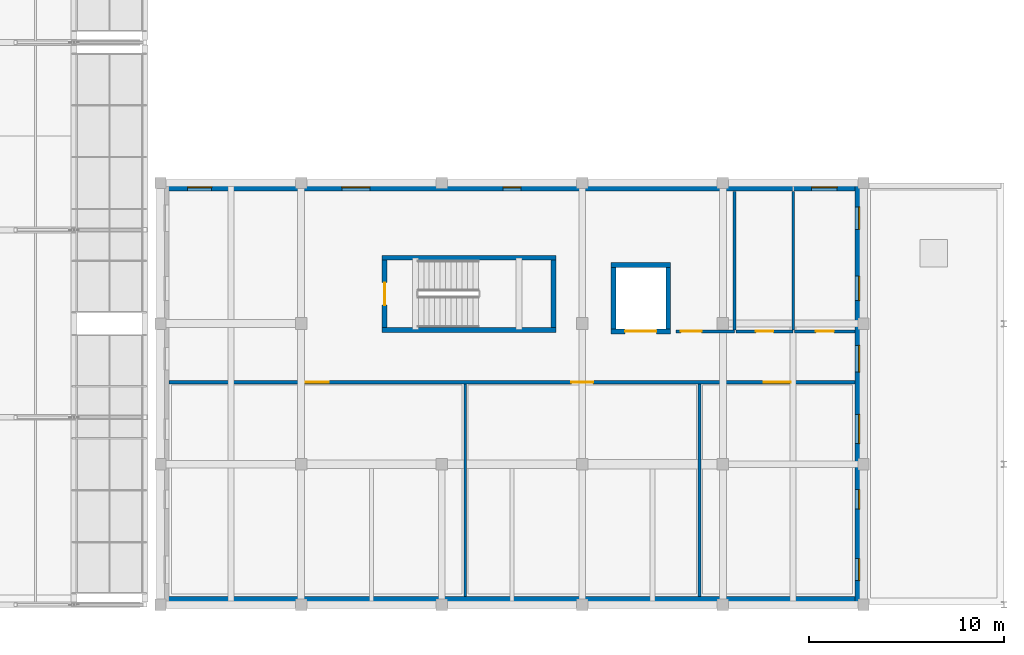
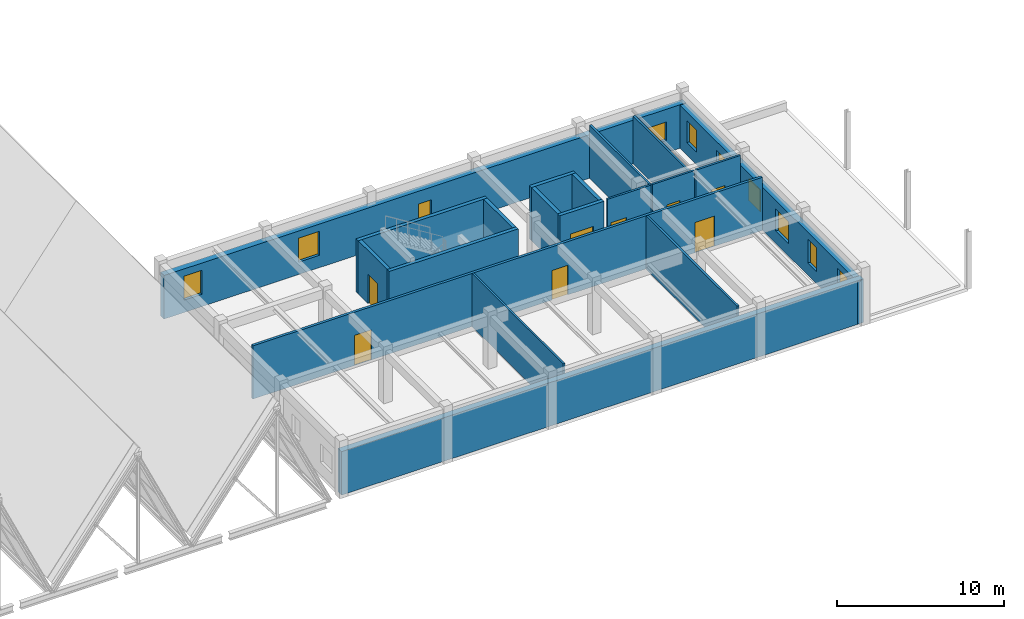
# One storey, part 84 of 99: 19 walls, 10 windows, 8 doors, 18 openings.
"""IFC4 building model written with IfcOpenShell, lengths in metres."""

from ifc_helpers import new_model, si_unit, direction, frame, frame_2d, origin, place, context, subcontext, project, spatial, rectangle, extrude, material, layer, layer_set, type_object, element, fill, save


model = new_model("IFC4")

# Units and contexts
model_context = context("Model", 3, precision=1e-05, world=origin(), true_north=direction((0.0, 1.0)))
body_context = subcontext(model_context, "Body", "Model", "MODEL_VIEW")
ifc_project = project(units=[si_unit("LENGTHUNIT", "METRE"), si_unit("AREAUNIT", "SQUARE_METRE"), si_unit("VOLUMEUNIT", "CUBIC_METRE"), si_unit("PLANEANGLEUNIT", "RADIAN"), si_unit("MASSUNIT", "GRAM", prefix="KILO")], contexts=[model_context])

# Site, building, storey
site_placement = place(None, origin())
site = spatial("IfcSite", under=ifc_project, at=site_placement, CompositionType="ELEMENT")
building_placement = place(site_placement, origin())
building = spatial("IfcBuilding", under=site, at=building_placement, Name="Bramveld Media Centre", CompositionType="ELEMENT")
storey_placement = place(building_placement, frame((0.0, 0.0, 13.800048828125)))
storey = spatial("IfcBuildingStorey", under=building, at=storey_placement, Name="L03", CompositionType="ELEMENT", Elevation=13.800048828125)

# Walls
ifc_material_1 = material(Name="Concrete C40/50 stair & lift core wall", Category="concrete")
ifc_layer_1 = layer(ifc_material_1, 0.25)
ifc_layer_set_1 = layer_set([ifc_layer_1], Name="Concrete C40/50 stair & lift core wall")
wall_type_1 = type_object("IfcWallType", Name="CWALL-SHEAR-250", PredefinedType="SHEAR", material=ifc_layer_set_1)
for number, where, z_axis, x_axis, name in (
    (1, (69.75, 14.074951171875, 0.0), (0.0, 0.0, 1.0), (1.0, 0.0, 0.0), "ST-06 L03 stair core shear wall S"),
    (2, (78.64990234375, 17.77490234375, 0.0), (0.0, 0.0, 1.0), (-1.0, 0.0, 0.0), "ST-06 L03 stair core shear wall N"),
):
    element("IfcWall", number, at=place(storey_placement, frame(where, z_axis=z_axis, x_axis=x_axis)), inside=storey, type_object=wall_type_1, Name=name, PredefinedType="SHEAR", context=body_context, shape_type="SweptSolid", body=[
        extrude(rectangle(XDim=8.89990234375, YDim=0.25, at=frame_2d((4.449951171875, 0.0))), origin(), (0.0, 0.0, 1.0), 3.8798828125),
    ])

# Wall, opening, door
wall_1_placement = place(storey_placement, frame((69.875, 17.64990234375, 0.0), z_axis=(0.0, 0.0, 1.0), x_axis=(0.0, -1.0, 0.0)))
wall_1 = element("IfcWall", 3, at=wall_1_placement, inside=storey, type_object=wall_type_1, Name="ST-06 L03 stair core shear wall W", PredefinedType="SHEAR", context=body_context, shape_type="SweptSolid", body=[
    extrude(rectangle(XDim=3.449951171875, YDim=0.25, at=frame_2d((1.72509765625, 0.0))), origin(), (0.0, 0.0, 1.0), 3.8798828125),
])
opening_1_placement = place(wall_1_placement, frame((1.14990234375, 0.0, 0.0)))
opening_1 = element("IfcOpeningElement", 4, at=opening_1_placement, cuts=wall_1, Name="Opening SD-06-L03", PredefinedType="OPENING", context=body_context, shape_type="SweptSolid", body=[
    extrude(rectangle(XDim=1.14990234375, YDim=2.14990234375, at=frame_2d((0.574951171875, 1.074951171875))), frame((0.0, 0.136962890625, 0.0), z_axis=(0.0, -1.0, 0.0), x_axis=(1.0, 0.0, 0.0)), (0.0, 0.0, 1.0), 0.27392578125),
])
ifc_material_2 = material(Name="Painted galvanized steel acoustic fire door with intumescent smoke seals", Category="steel")
door_type_1 = type_object("IfcDoorType", Name="DR-ST-1150", OperationType="NOTDEFINED", PredefinedType="DOOR", material=ifc_material_2)
door_1_placement = place(opening_1_placement, origin())
door_1 = element("IfcDoor", 5, at=door_1_placement, inside=storey, type_object=door_type_1, Name="ST-06 L03 pressurized stair fire door", OperationType="SINGLE_SWING_LEFT", OverallHeight=2.14990234375, OverallWidth=1.14990234375, PredefinedType="DOOR", context=body_context, shape_type="SweptSolid", body=[
    extrude(rectangle(XDim=1.14990234375, YDim=2.14990234375, at=frame_2d((0.574951171875, 1.074951171875))), frame((0.0, 0.02490234375, 0.0), z_axis=(0.0, -1.0, 0.0), x_axis=(1.0, 0.0, 0.0)), (0.0, 0.0, 1.0), 0.050048828125),
])
fill(opening_1, door_1)

# Wall
wall_2_placement = place(storey_placement, frame((78.52490234375, 14.199951171875, 0.0), z_axis=(0.0, 0.0, 1.0), x_axis=(0.0, 1.0, 0.0)))
element("IfcWall", 6, at=wall_2_placement, inside=storey, type_object=wall_type_1, Name="ST-06 L03 stair core shear wall E", PredefinedType="SHEAR", context=body_context, shape_type="SweptSolid", body=[
    extrude(rectangle(XDim=3.449951171875, YDim=0.25, at=frame_2d((1.72509765625, 0.0))), origin(), (0.0, 0.0, 1.0), 3.8798828125),
])

# Wall, opening, door
wall_3_placement = place(storey_placement, frame((81.47509765625, 14.0, 0.0), z_axis=(0.0, 0.0, 1.0), x_axis=(1.0, 0.0, 0.0)))
wall_3 = element("IfcWall", 7, at=wall_3_placement, inside=storey, type_object=wall_type_1, Name="GL-01 L03 lift shaft wall S", PredefinedType="SHEAR", context=body_context, shape_type="SweptSolid", body=[
    extrude(rectangle(XDim=3.0498046875, YDim=0.25, at=frame_2d((1.52490234375, 0.0))), origin(), (0.0, 0.0, 1.0), 3.8798828125),
])
opening_2_placement = place(wall_3_placement, frame((0.72509765625, 0.0, 0.0)))
opening_2 = element("IfcOpeningElement", 8, at=opening_2_placement, cuts=wall_3, Name="Opening LD-04-01-L03", PredefinedType="OPENING", context=body_context, shape_type="SweptSolid", body=[
    extrude(rectangle(XDim=1.60009765625, YDim=2.300048828125, at=frame_2d((0.800048828125, 1.14990234375))), frame((0.0, 0.136962890625, 0.0), z_axis=(0.0, -1.0, 0.0), x_axis=(1.0, 0.0, 0.0)), (0.0, 0.0, 1.0), 0.27392578125),
])
ifc_material_3 = material(Name="Brushed stainless steel automatic fire-rated sliding lift landing door", Category="steel")
door_type_2 = type_object("IfcDoorType", Name="LD-TYPE-04", OperationType="DOUBLE_DOOR_SLIDING", PredefinedType="DOOR", material=ifc_material_3)
door_2_placement = place(opening_2_placement, origin())
door_2 = element("IfcDoor", 9, at=door_2_placement, inside=storey, type_object=door_type_2, Name="GL-01 L03 sliding lift landing door", OperationType="DOUBLE_DOOR_SLIDING", OverallHeight=2.300048828125, OverallWidth=1.60009765625, PredefinedType="DOOR", context=body_context, shape_type="SweptSolid", body=[
    extrude(rectangle(XDim=1.60009765625, YDim=2.300048828125, at=frame_2d((0.800048828125, 1.14990234375))), frame((0.0, 0.02490234375, 0.0), z_axis=(0.0, -1.0, 0.0), x_axis=(1.0, 0.0, 0.0)), (0.0, 0.0, 1.0), 0.050048828125),
])
fill(opening_2, door_2)

# Walls
wall_4_placement = place(storey_placement, frame((84.52490234375, 17.39990234375, 0.0), z_axis=(0.0, 0.0, 1.0), x_axis=(-1.0, 0.0, 0.0)))
element("IfcWall", 10, at=wall_4_placement, inside=storey, type_object=wall_type_1, Name="GL-01 L03 lift shaft wall N", PredefinedType="SHEAR", context=body_context, shape_type="SweptSolid", body=[
    extrude(rectangle(XDim=3.0498046875, YDim=0.25, at=frame_2d((1.52490234375, 0.0))), origin(), (0.0, 0.0, 1.0), 3.8798828125),
])
for number, where, z_axis, x_axis, name in (
    (11, (81.60009765625, 17.39990234375, 0.0), (0.0, 0.0, 1.0), (0.0, -1.0, 0.0), "GL-01 L03 lift shaft wall W"),
    (12, (84.39990234375, 14.0, 0.0), (0.0, 0.0, 1.0), (0.0, 1.0, 0.0), "GL-01 L03 lift shaft wall E"),
):
    element("IfcWall", number, at=place(storey_placement, frame(where, z_axis=z_axis, x_axis=x_axis)), inside=storey, type_object=wall_type_1, Name=name, PredefinedType="SHEAR", context=body_context, shape_type="SweptSolid", body=[
        extrude(rectangle(XDim=3.39990234375, YDim=0.25, at=frame_2d((1.699951171875, 0.0))), origin(), (0.0, 0.0, 1.0), 3.8798828125),
    ])
ifc_material_4 = material(Name="Flemish red-brown clay facing brick cavity wall with concrete C35/45 inner leaf", Category="masonry")
ifc_layer_2 = layer(ifc_material_4, 0.419921875)
ifc_layer_set_2 = layer_set([ifc_layer_2], Name="Flemish red-brown clay facing brick cavity wall with concrete C35/45 inner leaf")
wall_type_2 = type_object("IfcWallType", Name="EW-BRK-420", PredefinedType="SOLIDWALL", material=ifc_layer_set_2)
wall_5_placement = place(storey_placement, frame((94.39990234375, 0.2099609375, 0.0), z_axis=(0.0, 0.0, 1.0), x_axis=(-1.0, 0.0, 0.0)))
element("IfcWall", 13, at=wall_5_placement, inside=storey, type_object=wall_type_2, Name="V5 L03 S facing brick exterior wall", PredefinedType="SOLIDWALL", context=body_context, shape_type="SweptSolid", body=[
    extrude(rectangle(XDim=36.0, YDim=0.419921875, at=frame_2d((18.0, 0.0))), origin(), (0.0, 0.0, 1.0), 3.175048828125),
])

# Wall, openings, windows
wall_6_placement = place(storey_placement, frame((94.18994140625, 21.60009765625, 0.0), z_axis=(0.0, 0.0, 1.0), x_axis=(0.0, -1.0, 0.0)))
wall_6 = element("IfcWall", 14, at=wall_6_placement, inside=storey, type_object=wall_type_2, Name="V5 L03 E facing brick exterior wall", PredefinedType="SOLIDWALL", context=body_context, shape_type="SweptSolid", body=[
    extrude(rectangle(XDim=21.60009765625, YDim=0.419921875, at=frame_2d((10.800048828125, 0.0))), origin(), (0.0, 0.0, 1.0), 3.135009765625),
])
opening_3_placement = place(wall_6_placement, frame((1.22509765625, 0.0, 0.89990234375)))
opening_3 = element("IfcOpeningElement", 15, at=opening_3_placement, cuts=wall_6, Name="Opening W-15", PredefinedType="OPENING", context=body_context, shape_type="SweptSolid", body=[
    extrude(rectangle(XDim=1.14990234375, YDim=1.60009765625, at=frame_2d((0.574951171875, 0.800048828125))), frame((0.0, 0.221923828125, 0.0), z_axis=(0.0, -1.0, 0.0), x_axis=(1.0, 0.0, 0.0)), (0.0, 0.0, 1.0), 0.44384765625),
])
opening_4_placement = place(wall_6_placement, frame((4.77490234375, 0.0, 0.89990234375)))
opening_4 = element("IfcOpeningElement", 16, at=opening_4_placement, cuts=wall_6, Name="Opening W-16", PredefinedType="OPENING", context=body_context, shape_type="SweptSolid", body=[
    extrude(rectangle(XDim=1.25, YDim=1.60009765625, at=frame_2d((0.625, 0.800048828125))), frame((0.0, 0.221923828125, 0.0), z_axis=(0.0, -1.0, 0.0), x_axis=(1.0, 0.0, 0.0)), (0.0, 0.0, 1.0), 0.44384765625),
])
opening_5_placement = place(wall_6_placement, frame((8.31005859375, 0.0, 0.89990234375)))
opening_5 = element("IfcOpeningElement", 17, at=opening_5_placement, cuts=wall_6, Name="Opening W-17", PredefinedType="OPENING", context=body_context, shape_type="SweptSolid", body=[
    extrude(rectangle(XDim=1.3798828125, YDim=1.60009765625, at=frame_2d((0.68994140625, 0.800048828125))), frame((0.0, 0.221923828125, 0.0), z_axis=(0.0, -1.0, 0.0), x_axis=(1.0, 0.0, 0.0)), (0.0, 0.0, 1.0), 0.44384765625),
])
opening_6_placement = place(wall_6_placement, frame((11.85009765625, 0.0, 0.89990234375)))
opening_6 = element("IfcOpeningElement", 18, at=opening_6_placement, cuts=wall_6, Name="Opening W-18", PredefinedType="OPENING", context=body_context, shape_type="SweptSolid", body=[
    extrude(rectangle(XDim=1.5, YDim=1.60009765625, at=frame_2d((0.75, 0.800048828125))), frame((0.0, 0.221923828125, 0.0), z_axis=(0.0, -1.0, 0.0), x_axis=(1.0, 0.0, 0.0)), (0.0, 0.0, 1.0), 0.44384765625),
])
opening_7_placement = place(wall_6_placement, frame((15.699951171875, 0.0, 0.89990234375)))
opening_7 = element("IfcOpeningElement", 19, at=opening_7_placement, cuts=wall_6, Name="Opening W-19", PredefinedType="OPENING", context=body_context, shape_type="SweptSolid", body=[
    extrude(rectangle(XDim=1.0, YDim=1.75, at=frame_2d((0.5, 0.875))), frame((0.0, 0.221923828125, 0.0), z_axis=(0.0, -1.0, 0.0), x_axis=(1.0, 0.0, 0.0)), (0.0, 0.0, 1.0), 0.44384765625),
])
opening_8_placement = place(wall_6_placement, frame((19.239990234375, 0.0, 0.89990234375)))
opening_8 = element("IfcOpeningElement", 20, at=opening_8_placement, cuts=wall_6, Name="Opening W-20", PredefinedType="OPENING", context=body_context, shape_type="SweptSolid", body=[
    extrude(rectangle(XDim=1.1201171875, YDim=1.75, at=frame_2d((0.56005859375, 0.875))), frame((0.0, 0.221923828125, 0.0), z_axis=(0.0, -1.0, 0.0), x_axis=(1.0, 0.0, 0.0)), (0.0, 0.0, 1.0), 0.44384765625),
])
ifc_material_5 = material(Name="Thermally broken anodized bronze aluminium frame with triple acoustic glazing", Category="aluminium")
window_type_1 = type_object("IfcWindowType", Name="WIN-FAC-15", PartitioningType="SINGLE_PANEL", PredefinedType="WINDOW", material=ifc_material_5)
window_1_placement = place(opening_3_placement, origin())
window_1 = element("IfcWindow", 21, at=window_1_placement, inside=storey, type_object=window_type_1, Name="V5 L03 E acoustic facade window", OverallHeight=1.60009765625, OverallWidth=1.14990234375, PartitioningType="SINGLE_PANEL", PredefinedType="WINDOW", context=body_context, shape_type="SweptSolid", body=[
    extrude(rectangle(XDim=1.14990234375, YDim=1.60009765625, at=frame_2d((0.574951171875, 0.800048828125))), frame((0.0, 0.030029296875, 0.0), z_axis=(0.0, -1.0, 0.0), x_axis=(1.0, 0.0, 0.0)), (0.0, 0.0, 1.0), 0.06005859375),
])
fill(opening_3, window_1)
ifc_material_6 = material(Name="Thermally broken anodized bronze aluminium frame with triple acoustic glazing", Category="aluminium")
window_type_2 = type_object("IfcWindowType", Name="WIN-FAC-16", PartitioningType="SINGLE_PANEL", PredefinedType="WINDOW", material=ifc_material_6)
window_2_placement = place(opening_4_placement, origin())
window_2 = element("IfcWindow", 22, at=window_2_placement, inside=storey, type_object=window_type_2, Name="V5 L03 E acoustic facade window", OverallHeight=1.60009765625, OverallWidth=1.25, PartitioningType="SINGLE_PANEL", PredefinedType="WINDOW", context=body_context, shape_type="SweptSolid", body=[
    extrude(rectangle(XDim=1.25, YDim=1.60009765625, at=frame_2d((0.625, 0.800048828125))), frame((0.0, 0.030029296875, 0.0), z_axis=(0.0, -1.0, 0.0), x_axis=(1.0, 0.0, 0.0)), (0.0, 0.0, 1.0), 0.06005859375),
])
fill(opening_4, window_2)
ifc_material_7 = material(Name="Thermally broken anodized bronze aluminium frame with triple acoustic glazing", Category="aluminium")
window_type_3 = type_object("IfcWindowType", Name="WIN-FAC-17", PartitioningType="SINGLE_PANEL", PredefinedType="WINDOW", material=ifc_material_7)
window_3_placement = place(opening_5_placement, origin())
window_3 = element("IfcWindow", 23, at=window_3_placement, inside=storey, type_object=window_type_3, Name="V5 L03 E acoustic facade window", OverallHeight=1.60009765625, OverallWidth=1.3798828125, PartitioningType="SINGLE_PANEL", PredefinedType="WINDOW", context=body_context, shape_type="SweptSolid", body=[
    extrude(rectangle(XDim=1.3798828125, YDim=1.60009765625, at=frame_2d((0.68994140625, 0.800048828125))), frame((0.0, 0.030029296875, 0.0), z_axis=(0.0, -1.0, 0.0), x_axis=(1.0, 0.0, 0.0)), (0.0, 0.0, 1.0), 0.06005859375),
])
fill(opening_5, window_3)
ifc_material_8 = material(Name="Thermally broken anodized bronze aluminium frame with triple acoustic glazing", Category="aluminium")
window_type_4 = type_object("IfcWindowType", Name="WIN-FAC-18", PartitioningType="SINGLE_PANEL", PredefinedType="WINDOW", material=ifc_material_8)
window_4_placement = place(opening_6_placement, origin())
window_4 = element("IfcWindow", 24, at=window_4_placement, inside=storey, type_object=window_type_4, Name="V5 L03 E acoustic facade window", OverallHeight=1.60009765625, OverallWidth=1.5, PartitioningType="SINGLE_PANEL", PredefinedType="WINDOW", context=body_context, shape_type="SweptSolid", body=[
    extrude(rectangle(XDim=1.5, YDim=1.60009765625, at=frame_2d((0.75, 0.800048828125))), frame((0.0, 0.030029296875, 0.0), z_axis=(0.0, -1.0, 0.0), x_axis=(1.0, 0.0, 0.0)), (0.0, 0.0, 1.0), 0.06005859375),
])
fill(opening_6, window_4)
ifc_material_9 = material(Name="Thermally broken anodized bronze aluminium frame with triple acoustic glazing", Category="aluminium")
window_type_5 = type_object("IfcWindowType", Name="WIN-FAC-19", PartitioningType="SINGLE_PANEL", PredefinedType="WINDOW", material=ifc_material_9)
window_5_placement = place(opening_7_placement, origin())
window_5 = element("IfcWindow", 25, at=window_5_placement, inside=storey, type_object=window_type_5, Name="V5 L03 E acoustic facade window", OverallHeight=1.75, OverallWidth=1.0, PartitioningType="SINGLE_PANEL", PredefinedType="WINDOW", context=body_context, shape_type="SweptSolid", body=[
    extrude(rectangle(XDim=1.0, YDim=1.75, at=frame_2d((0.5, 0.875))), frame((0.0, 0.030029296875, 0.0), z_axis=(0.0, -1.0, 0.0), x_axis=(1.0, 0.0, 0.0)), (0.0, 0.0, 1.0), 0.06005859375),
])
fill(opening_7, window_5)
ifc_material_10 = material(Name="Thermally broken anodized bronze aluminium frame with triple acoustic glazing", Category="aluminium")
window_type_6 = type_object("IfcWindowType", Name="WIN-FAC-20", PartitioningType="SINGLE_PANEL", PredefinedType="WINDOW", material=ifc_material_10)
window_6_placement = place(opening_8_placement, origin())
window_6 = element("IfcWindow", 26, at=window_6_placement, inside=storey, type_object=window_type_6, Name="V5 L03 E acoustic facade window", OverallHeight=1.75, OverallWidth=1.1201171875, PartitioningType="SINGLE_PANEL", PredefinedType="WINDOW", context=body_context, shape_type="SweptSolid", body=[
    extrude(rectangle(XDim=1.1201171875, YDim=1.75, at=frame_2d((0.56005859375, 0.875))), frame((0.0, 0.030029296875, 0.0), z_axis=(0.0, -1.0, 0.0), x_axis=(1.0, 0.0, 0.0)), (0.0, 0.0, 1.0), 0.06005859375),
])
fill(opening_8, window_6)

wall_7_placement = place(storey_placement, frame((58.39990234375, 21.389892578125, 0.0), z_axis=(0.0, 0.0, 1.0), x_axis=(1.0, 0.0, 0.0)))
wall_7 = element("IfcWall", 27, at=wall_7_placement, inside=storey, type_object=wall_type_2, Name="V5 L03 N facing brick exterior wall", PredefinedType="SOLIDWALL", context=body_context, shape_type="SweptSolid", body=[
    extrude(rectangle(XDim=36.0, YDim=0.419921875, at=frame_2d((18.0, 0.0))), origin(), (0.0, 0.0, 1.0), 3.175048828125),
])
opening_9_placement = place(wall_7_placement, frame((1.3798828125, 0.0, 0.89990234375)))
opening_9 = element("IfcOpeningElement", 28, at=opening_9_placement, cuts=wall_7, Name="Opening W-21", PredefinedType="OPENING", context=body_context, shape_type="SweptSolid", body=[
    extrude(rectangle(XDim=1.239990234375, YDim=1.75, at=frame_2d((0.6201171875, 0.875))), frame((0.0, 0.221923828125, 0.0), z_axis=(0.0, -1.0, 0.0), x_axis=(1.0, 0.0, 0.0)), (0.0, 0.0, 1.0), 0.44384765625),
])
opening_10_placement = place(wall_7_placement, frame((9.280029296875, 0.0, 0.89990234375)))
opening_10 = element("IfcOpeningElement", 29, at=opening_10_placement, cuts=wall_7, Name="Opening W-23", PredefinedType="OPENING", context=body_context, shape_type="SweptSolid", body=[
    extrude(rectangle(XDim=1.43994140625, YDim=1.75, at=frame_2d((0.719970703125, 0.875))), frame((0.0, 0.221923828125, 0.0), z_axis=(0.0, -1.0, 0.0), x_axis=(1.0, 0.0, 0.0)), (0.0, 0.0, 1.0), 0.44384765625),
])
opening_11_placement = place(wall_7_placement, frame((17.550048828125, 0.0, 0.89990234375)))
opening_11 = element("IfcOpeningElement", 30, at=opening_11_placement, cuts=wall_7, Name="Opening W-01", PredefinedType="OPENING", context=body_context, shape_type="SweptSolid", body=[
    extrude(rectangle(XDim=0.89990234375, YDim=1.35009765625, at=frame_2d((0.449951171875, 0.675048828125))), frame((0.0, 0.221923828125, 0.0), z_axis=(0.0, -1.0, 0.0), x_axis=(1.0, 0.0, 0.0)), (0.0, 0.0, 1.0), 0.44384765625),
])
opening_12_placement = place(wall_7_placement, frame((33.35009765625, 0.0, 0.89990234375)))
opening_12 = element("IfcOpeningElement", 31, at=opening_12_placement, cuts=wall_7, Name="Opening W-05", PredefinedType="OPENING", context=body_context, shape_type="SweptSolid", body=[
    extrude(rectangle(XDim=1.300048828125, YDim=1.35009765625, at=frame_2d((0.64990234375, 0.675048828125))), frame((0.0, 0.221923828125, 0.0), z_axis=(0.0, -1.0, 0.0), x_axis=(1.0, 0.0, 0.0)), (0.0, 0.0, 1.0), 0.44384765625),
])
ifc_material_11 = material(Name="Thermally broken anodized bronze aluminium frame with triple acoustic glazing", Category="aluminium")
window_type_7 = type_object("IfcWindowType", Name="WIN-FAC-01", PartitioningType="SINGLE_PANEL", PredefinedType="WINDOW", material=ifc_material_11)
window_7_placement = place(opening_11_placement, origin())
window_7 = element("IfcWindow", 32, at=window_7_placement, inside=storey, type_object=window_type_7, Name="V5 L03 N acoustic facade window", OverallHeight=1.35009765625, OverallWidth=0.89990234375, PartitioningType="SINGLE_PANEL", PredefinedType="WINDOW", context=body_context, shape_type="SweptSolid", body=[
    extrude(rectangle(XDim=0.89990234375, YDim=1.35009765625, at=frame_2d((0.449951171875, 0.675048828125))), frame((0.0, 0.030029296875, 0.0), z_axis=(0.0, -1.0, 0.0), x_axis=(1.0, 0.0, 0.0)), (0.0, 0.0, 1.0), 0.06005859375),
])
fill(opening_11, window_7)
ifc_material_12 = material(Name="Thermally broken anodized bronze aluminium frame with triple acoustic glazing", Category="aluminium")
window_type_8 = type_object("IfcWindowType", Name="WIN-FAC-05", PartitioningType="SINGLE_PANEL", PredefinedType="WINDOW", material=ifc_material_12)
window_8_placement = place(opening_12_placement, origin())
window_8 = element("IfcWindow", 33, at=window_8_placement, inside=storey, type_object=window_type_8, Name="V5 L03 N acoustic facade window", OverallHeight=1.35009765625, OverallWidth=1.300048828125, PartitioningType="SINGLE_PANEL", PredefinedType="WINDOW", context=body_context, shape_type="SweptSolid", body=[
    extrude(rectangle(XDim=1.300048828125, YDim=1.35009765625, at=frame_2d((0.64990234375, 0.675048828125))), frame((0.0, 0.030029296875, 0.0), z_axis=(0.0, -1.0, 0.0), x_axis=(1.0, 0.0, 0.0)), (0.0, 0.0, 1.0), 0.06005859375),
])
fill(opening_12, window_8)
ifc_material_13 = material(Name="Thermally broken anodized bronze aluminium frame with triple acoustic glazing", Category="aluminium")
window_type_9 = type_object("IfcWindowType", Name="WIN-FAC-21", PartitioningType="SINGLE_PANEL", PredefinedType="WINDOW", material=ifc_material_13)
window_9_placement = place(opening_9_placement, origin())
window_9 = element("IfcWindow", 34, at=window_9_placement, inside=storey, type_object=window_type_9, Name="V5 L03 N acoustic facade window", OverallHeight=1.75, OverallWidth=1.239990234375, PartitioningType="SINGLE_PANEL", PredefinedType="WINDOW", context=body_context, shape_type="SweptSolid", body=[
    extrude(rectangle(XDim=1.239990234375, YDim=1.75, at=frame_2d((0.6201171875, 0.875))), frame((0.0, 0.030029296875, 0.0), z_axis=(0.0, -1.0, 0.0), x_axis=(1.0, 0.0, 0.0)), (0.0, 0.0, 1.0), 0.06005859375),
])
fill(opening_9, window_9)
ifc_material_14 = material(Name="Thermally broken anodized bronze aluminium frame with triple acoustic glazing", Category="aluminium")
window_type_10 = type_object("IfcWindowType", Name="WIN-FAC-23", PartitioningType="SINGLE_PANEL", PredefinedType="WINDOW", material=ifc_material_14)
window_10_placement = place(opening_10_placement, origin())
window_10 = element("IfcWindow", 35, at=window_10_placement, inside=storey, type_object=window_type_10, Name="V5 L03 N acoustic facade window", OverallHeight=1.75, OverallWidth=1.43994140625, PartitioningType="SINGLE_PANEL", PredefinedType="WINDOW", context=body_context, shape_type="SweptSolid", body=[
    extrude(rectangle(XDim=1.43994140625, YDim=1.75, at=frame_2d((0.719970703125, 0.875))), frame((0.0, 0.030029296875, 0.0), z_axis=(0.0, -1.0, 0.0), x_axis=(1.0, 0.0, 0.0)), (0.0, 0.0, 1.0), 0.06005859375),
])
fill(opening_10, window_10)

# Wall, openings, doors
ifc_material_15 = material(Name="Fire-rated twin-frame gypsum corridor wall", Category="gypsum")
ifc_layer_3 = layer(ifc_material_15, 0.179931640625)
ifc_layer_set_3 = layer_set([ifc_layer_3], Name="Fire-rated twin-frame gypsum corridor wall")
wall_type_3 = type_object("IfcWallType", Name="IW-FIRE-180", PredefinedType="PARTITIONING", material=ifc_layer_set_3)
wall_8_placement = place(storey_placement, frame((58.830078125, 11.39990234375, 0.0), z_axis=(0.0, 0.0, 1.0), x_axis=(1.0, 0.0, 0.0)))
wall_8 = element("IfcWall", 36, at=wall_8_placement, inside=storey, type_object=wall_type_3, Name="Film Conservation Lab Corridor partition wall", PredefinedType="PARTITIONING", context=body_context, shape_type="SweptSolid", body=[
    extrude(rectangle(XDim=35.139892578125, YDim=0.179931640625, at=frame_2d((17.56982421875, 0.0))), origin(), (0.0, 0.0, 1.0), 3.8798828125),
])
opening_13_placement = place(wall_8_placement, frame((6.9951171875, 0.0, 0.0)))
opening_13 = element("IfcOpeningElement", 37, at=opening_13_placement, cuts=wall_8, Name="Opening D-03-150", PredefinedType="OPENING", context=body_context, shape_type="SweptSolid", body=[
    extrude(rectangle(XDim=1.179931640625, YDim=2.199951171875, at=frame_2d((0.58984375, 1.10009765625))), frame((0.0, 0.10205078125, 0.0), z_axis=(0.0, -1.0, 0.0), x_axis=(1.0, 0.0, 0.0)), (0.0, 0.0, 1.0), 0.203857421875),
])
opening_14_placement = place(wall_8_placement, frame((20.610107421875, 0.0, 0.0)))
opening_14 = element("IfcOpeningElement", 38, at=opening_14_placement, cuts=wall_8, Name="Opening D-03-151", PredefinedType="OPENING", context=body_context, shape_type="SweptSolid", body=[
    extrude(rectangle(XDim=1.1201171875, YDim=2.14990234375, at=frame_2d((0.56005859375, 1.074951171875))), frame((0.0, 0.10205078125, 0.0), z_axis=(0.0, -1.0, 0.0), x_axis=(1.0, 0.0, 0.0)), (0.0, 0.0, 1.0), 0.203857421875),
])
opening_15_placement = place(wall_8_placement, frame((30.47509765625, 0.0, 0.0)))
opening_15 = element("IfcOpeningElement", 39, at=opening_15_placement, cuts=wall_8, Name="Opening D-03-152", PredefinedType="OPENING", context=body_context, shape_type="SweptSolid", body=[
    extrude(rectangle(XDim=1.360107421875, YDim=2.199951171875, at=frame_2d((0.68017578125, 1.10009765625))), frame((0.0, 0.10205078125, 0.0), z_axis=(0.0, -1.0, 0.0), x_axis=(1.0, 0.0, 0.0)), (0.0, 0.0, 1.0), 0.203857421875),
])
ifc_material_16 = material(Name="Solid-core European oak acoustic timber leaf in steel frame", Category="steel")
door_type_3 = type_object("IfcDoorType", Name="DR-RM-1120", OperationType="NOTDEFINED", PredefinedType="DOOR", material=ifc_material_16)
door_3_placement = place(opening_14_placement, origin())
door_3 = element("IfcDoor", 40, at=door_3_placement, inside=storey, type_object=door_type_3, Name="Ultrasonic Film Cleaning & Repair Studio entrance door", OperationType="SINGLE_SWING_LEFT", OverallHeight=2.14990234375, OverallWidth=1.1201171875, PredefinedType="DOOR", context=body_context, shape_type="SweptSolid", body=[
    extrude(rectangle(XDim=1.1201171875, YDim=2.14990234375, at=frame_2d((0.56005859375, 1.074951171875))), frame((0.0, 0.02490234375, 0.0), z_axis=(0.0, -1.0, 0.0), x_axis=(1.0, 0.0, 0.0)), (0.0, 0.0, 1.0), 0.050048828125),
])
fill(opening_14, door_3)
ifc_material_17 = material(Name="Fire-rated acoustic timber & steel composite door", Category="steel")
door_type_4 = type_object("IfcDoorType", Name="DR-STU-1180", OperationType="NOTDEFINED", PredefinedType="DOOR", material=ifc_material_17)
door_4_placement = place(opening_13_placement, origin())
door_4 = element("IfcDoor", 41, at=door_4_placement, inside=storey, type_object=door_type_4, Name="Photochemical Film Inspection Laboratory entrance door", OperationType="SINGLE_SWING_RIGHT", OverallHeight=2.199951171875, OverallWidth=1.179931640625, PredefinedType="DOOR", context=body_context, shape_type="SweptSolid", body=[
    extrude(rectangle(XDim=1.179931640625, YDim=2.199951171875, at=frame_2d((0.58984375, 1.10009765625))), frame((0.0, 0.02490234375, 0.0), z_axis=(0.0, -1.0, 0.0), x_axis=(1.0, 0.0, 0.0)), (0.0, 0.0, 1.0), 0.050048828125),
])
fill(opening_13, door_4)
ifc_material_18 = material(Name="Fire-rated acoustic timber & steel composite door", Category="steel")
door_type_5 = type_object("IfcDoorType", Name="DR-VAULT-1360", OperationType="NOTDEFINED", PredefinedType="DOOR", material=ifc_material_18)
door_5_placement = place(opening_15_placement, origin())
door_5 = element("IfcDoor", 42, at=door_5_placement, inside=storey, type_object=door_type_5, Name="Cold Vault Acclimatisation Airlock entrance door", OperationType="SINGLE_SWING_RIGHT", OverallHeight=2.199951171875, OverallWidth=1.360107421875, PredefinedType="DOOR", context=body_context, shape_type="SweptSolid", body=[
    extrude(rectangle(XDim=1.360107421875, YDim=2.199951171875, at=frame_2d((0.68017578125, 1.10009765625))), frame((0.0, 0.02490234375, 0.0), z_axis=(0.0, -1.0, 0.0), x_axis=(1.0, 0.0, 0.0)), (0.0, 0.0, 1.0), 0.050048828125),
])
fill(opening_15, door_5)

# Walls
ifc_material_19 = material(Name="Lightweight acoustic stud partition", Category="gypsum")
ifc_layer_4 = layer(ifc_material_19, 0.125)
ifc_layer_set_4 = layer_set([ifc_layer_4], Name="Lightweight acoustic stud partition")
wall_type_4 = type_object("IfcWallType", Name="IW-PART-125", PredefinedType="PARTITIONING", material=ifc_layer_set_4)
wall_9_placement = place(storey_placement, frame((74.0, 0.429931640625, 0.0), z_axis=(0.0, 0.0, 1.0), x_axis=(0.0, 1.0, 0.0)))
element("IfcWall", 43, at=wall_9_placement, inside=storey, type_object=wall_type_4, Name="Photochemical Film Inspection Laboratory partition wall", PredefinedType="PARTITIONING", context=body_context, shape_type="SweptSolid", body=[
    extrude(rectangle(XDim=10.8701171875, YDim=0.125, at=frame_2d((5.43505859375, 0.0))), origin(), (0.0, 0.0, 1.0), 3.8798828125),
])
ifc_material_20 = material(Name="Insulated metal-stud gypsum room partition", Category="gypsum")
ifc_layer_5 = layer(ifc_material_20, 0.14990234375)
ifc_layer_set_5 = layer_set([ifc_layer_5], Name="Insulated metal-stud gypsum room partition")
wall_type_5 = type_object("IfcWallType", Name="IW-PART-150", PredefinedType="PARTITIONING", material=ifc_layer_set_5)
wall_10_placement = place(storey_placement, frame((86.0, 0.429931640625, 0.0), z_axis=(0.0, 0.0, 1.0), x_axis=(0.0, 1.0, 0.0)))
element("IfcWall", 44, at=wall_10_placement, inside=storey, type_object=wall_type_5, Name="Ultrasonic Film Cleaning & Repair Studio partition wall", PredefinedType="PARTITIONING", context=body_context, shape_type="SweptSolid", body=[
    extrude(rectangle(XDim=10.8701171875, YDim=0.14990234375, at=frame_2d((5.43505859375, 0.0))), origin(), (0.0, 0.0, 1.0), 3.8798828125),
])

# Wall, opening, door
ifc_material_21 = material(Name="Moisture-resistant cement-board sanitary partition", Category="gypsum")
ifc_layer_6 = layer(ifc_material_21, 0.139892578125)
ifc_layer_set_6 = layer_set([ifc_layer_6], Name="Moisture-resistant cement-board sanitary partition")
wall_type_6 = type_object("IfcWallType", Name="IW-WET-140", PredefinedType="PARTITIONING", material=ifc_layer_set_6)
wall_11_placement = place(storey_placement, frame((84.800048828125, 14.0, 0.0), z_axis=(0.0, 0.0, 1.0), x_axis=(1.0, 0.0, 0.0)))
wall_11 = element("IfcWall", 45, at=wall_11_placement, inside=storey, type_object=wall_type_6, Name="Accessible WC partition wall", PredefinedType="PARTITIONING", context=body_context, shape_type="SweptSolid", body=[
    extrude(rectangle(XDim=3.0, YDim=0.139892578125, at=frame_2d((1.5, 0.0))), origin(), (0.0, 0.0, 1.0), 3.8798828125),
])
opening_16_placement = place(wall_11_placement, frame((0.25, 0.0, 0.0)))
opening_16 = element("IfcOpeningElement", 46, at=opening_16_placement, cuts=wall_11, Name="Opening D-03-153", PredefinedType="OPENING", context=body_context, shape_type="SweptSolid", body=[
    extrude(rectangle(XDim=1.06005859375, YDim=2.10009765625, at=frame_2d((0.530029296875, 1.050048828125))), frame((0.0, 0.08203125, 0.0), z_axis=(0.0, -1.0, 0.0), x_axis=(1.0, 0.0, 0.0)), (0.0, 0.0, 1.0), 0.163818359375),
])
ifc_material_22 = material(Name="Solid-core European oak acoustic timber leaf in steel frame", Category="steel")
door_type_6 = type_object("IfcDoorType", Name="DR-WC-PMR-1060", OperationType="NOTDEFINED", PredefinedType="DOOR", material=ifc_material_22)
door_6_placement = place(opening_16_placement, origin())
door_6 = element("IfcDoor", 47, at=door_6_placement, inside=storey, type_object=door_type_6, Name="Accessible WC entrance door", OperationType="SINGLE_SWING_LEFT", OverallHeight=2.10009765625, OverallWidth=1.06005859375, PredefinedType="DOOR", context=body_context, shape_type="SweptSolid", body=[
    extrude(rectangle(XDim=1.06005859375, YDim=2.10009765625, at=frame_2d((0.530029296875, 1.050048828125))), frame((0.0, 0.02490234375, 0.0), z_axis=(0.0, -1.0, 0.0), x_axis=(1.0, 0.0, 0.0)), (0.0, 0.0, 1.0), 0.050048828125),
])
fill(opening_16, door_6)

# Wall
wall_12_placement = place(storey_placement, frame((87.800048828125, 14.080078125, 0.0), z_axis=(0.0, 0.0, 1.0), x_axis=(0.0, 1.0, 0.0)))
element("IfcWall", 48, at=wall_12_placement, inside=storey, type_object=wall_type_6, Name="Accessible WC partition wall", PredefinedType="PARTITIONING", context=body_context, shape_type="SweptSolid", body=[
    extrude(rectangle(XDim=7.08984375, YDim=0.139892578125, at=frame_2d((3.544921875, 0.0))), origin(), (0.0, 0.0, 1.0), 3.8798828125),
])

# Wall, opening, door
wall_13_placement = place(storey_placement, frame((87.8798828125, 14.0, 0.0), z_axis=(0.0, 0.0, 1.0), x_axis=(1.0, 0.0, 0.0)))
wall_13 = element("IfcWall", 49, at=wall_13_placement, inside=storey, type_object=wall_type_6, Name="Male WC partition wall", PredefinedType="PARTITIONING", context=body_context, shape_type="SweptSolid", body=[
    extrude(rectangle(XDim=2.920166015625, YDim=0.139892578125, at=frame_2d((1.4599609375, 0.0))), origin(), (0.0, 0.0, 1.0), 3.8798828125),
])
opening_17_placement = place(wall_13_placement, frame((1.014892578125, 0.0, 0.0)))
opening_17 = element("IfcOpeningElement", 50, at=opening_17_placement, cuts=wall_13, Name="Opening D-03-154", PredefinedType="OPENING", context=body_context, shape_type="SweptSolid", body=[
    extrude(rectangle(XDim=0.889892578125, YDim=2.050048828125, at=frame_2d((0.44482421875, 1.02490234375))), frame((0.0, 0.08203125, 0.0), z_axis=(0.0, -1.0, 0.0), x_axis=(1.0, 0.0, 0.0)), (0.0, 0.0, 1.0), 0.163818359375),
])
ifc_material_23 = material(Name="Solid-core European oak acoustic timber leaf in steel frame", Category="steel")
door_type_7 = type_object("IfcDoorType", Name="DR-WC-0890", OperationType="NOTDEFINED", PredefinedType="DOOR", material=ifc_material_23)
door_7_placement = place(opening_17_placement, origin())
door_7 = element("IfcDoor", 51, at=door_7_placement, inside=storey, type_object=door_type_7, Name="Male WC entrance door", OperationType="SINGLE_SWING_RIGHT", OverallHeight=2.050048828125, OverallWidth=0.889892578125, PredefinedType="DOOR", context=body_context, shape_type="SweptSolid", body=[
    extrude(rectangle(XDim=0.889892578125, YDim=2.050048828125, at=frame_2d((0.44482421875, 1.02490234375))), frame((0.0, 0.02490234375, 0.0), z_axis=(0.0, -1.0, 0.0), x_axis=(1.0, 0.0, 0.0)), (0.0, 0.0, 1.0), 0.050048828125),
])
fill(opening_17, door_7)

# Wall
wall_14_placement = place(storey_placement, frame((90.800048828125, 14.080078125, 0.0), z_axis=(0.0, 0.0, 1.0), x_axis=(0.0, 1.0, 0.0)))
element("IfcWall", 52, at=wall_14_placement, inside=storey, type_object=wall_type_6, Name="Male WC partition wall", PredefinedType="PARTITIONING", context=body_context, shape_type="SweptSolid", body=[
    extrude(rectangle(XDim=7.08984375, YDim=0.139892578125, at=frame_2d((3.544921875, 0.0))), origin(), (0.0, 0.0, 1.0), 3.494873046875),
])

# Wall, opening, door
wall_15_placement = place(storey_placement, frame((90.8798828125, 14.0, 0.0), z_axis=(0.0, 0.0, 1.0), x_axis=(1.0, 0.0, 0.0)))
wall_15 = element("IfcWall", 53, at=wall_15_placement, inside=storey, type_object=wall_type_6, Name="Female WC partition wall", PredefinedType="PARTITIONING", context=body_context, shape_type="SweptSolid", body=[
    extrude(rectangle(XDim=3.090087890625, YDim=0.139892578125, at=frame_2d((1.544921875, 0.0))), origin(), (0.0, 0.0, 1.0), 3.8798828125),
])
opening_18_placement = place(wall_15_placement, frame((1.090087890625, 0.0, 0.0)))
opening_18 = element("IfcOpeningElement", 54, at=opening_18_placement, cuts=wall_15, Name="Opening D-03-155", PredefinedType="OPENING", context=body_context, shape_type="SweptSolid", body=[
    extrude(rectangle(XDim=0.909912109375, YDim=2.06005859375, at=frame_2d((0.455078125, 1.030029296875))), frame((0.0, 0.08203125, 0.0), z_axis=(0.0, -1.0, 0.0), x_axis=(1.0, 0.0, 0.0)), (0.0, 0.0, 1.0), 0.163818359375),
])
ifc_material_24 = material(Name="Solid-core European oak acoustic timber leaf in steel frame", Category="steel")
door_type_8 = type_object("IfcDoorType", Name="DR-WC-0910", OperationType="NOTDEFINED", PredefinedType="DOOR", material=ifc_material_24)
door_8_placement = place(opening_18_placement, origin())
door_8 = element("IfcDoor", 55, at=door_8_placement, inside=storey, type_object=door_type_8, Name="Female WC entrance door", OperationType="SINGLE_SWING_LEFT", OverallHeight=2.06005859375, OverallWidth=0.909912109375, PredefinedType="DOOR", context=body_context, shape_type="SweptSolid", body=[
    extrude(rectangle(XDim=0.909912109375, YDim=2.06005859375, at=frame_2d((0.455078125, 1.030029296875))), frame((0.0, 0.02490234375, 0.0), z_axis=(0.0, -1.0, 0.0), x_axis=(1.0, 0.0, 0.0)), (0.0, 0.0, 1.0), 0.050048828125),
])
fill(opening_18, door_8)

save(model, "model.ifc")
